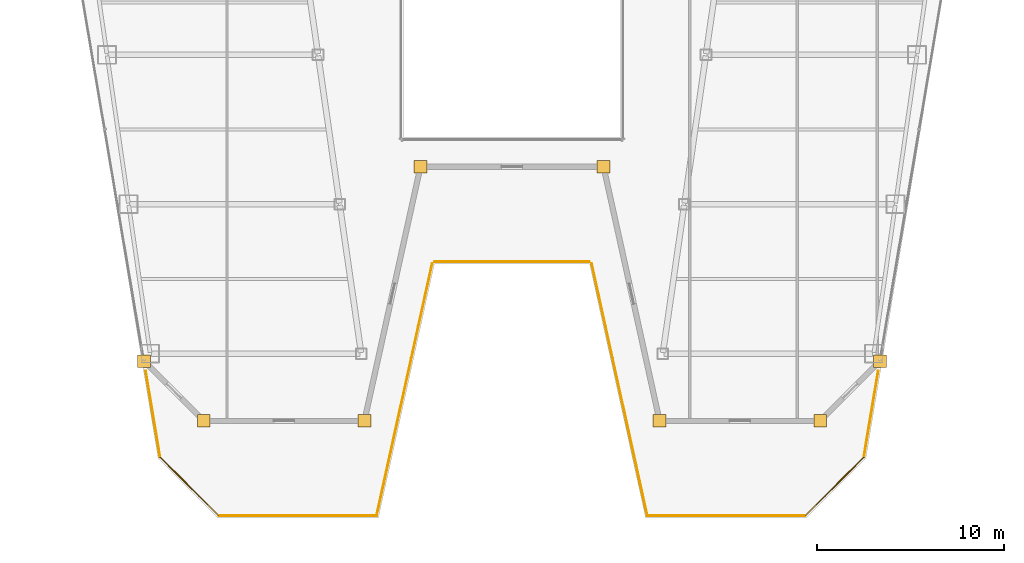
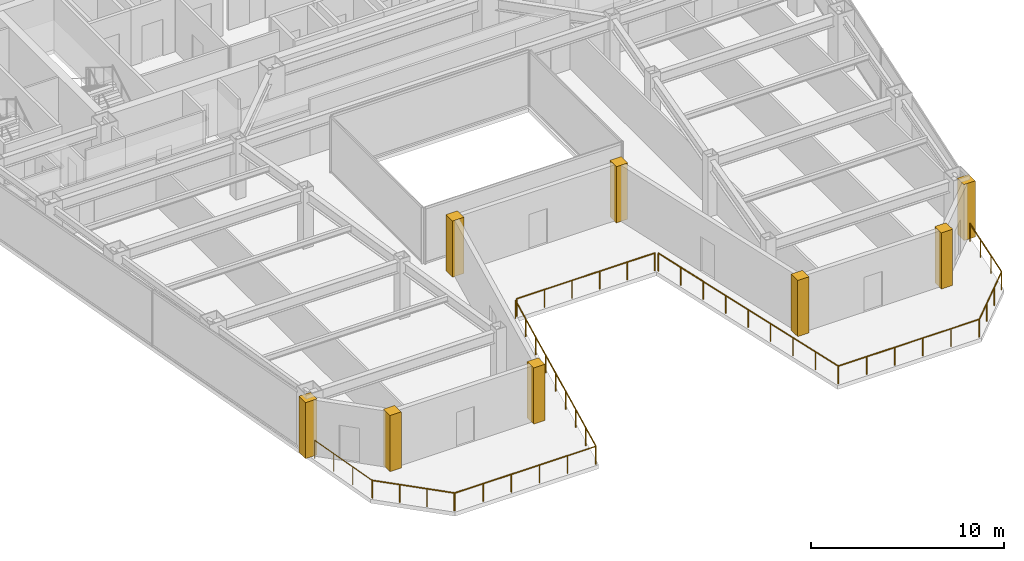
# One storey, part 28 of 31: 9 railings, 8 coverings.
"""IFC4 building model written with IfcOpenShell, lengths in metres."""

from ifc_helpers import new_model, si_unit, direction, frame, origin, origin_2d, place, context, subcontext, project, spatial, polyline, circle, outline, extrude, material, layer, layer_set, type_object, element, save


model = new_model("IFC4")

# Units and contexts
model_context = context("Model", 3, precision=1e-05, world=origin(), true_north=direction((0.0, 1.0)))
body_context = subcontext(model_context, "Body", "Model", "MODEL_VIEW")
ifc_project = project(units=[si_unit("LENGTHUNIT", "METRE"), si_unit("AREAUNIT", "SQUARE_METRE"), si_unit("VOLUMEUNIT", "CUBIC_METRE"), si_unit("PLANEANGLEUNIT", "RADIAN"), si_unit("MASSUNIT", "GRAM", prefix="KILO")], contexts=[model_context])

# Site, building, storey
site_placement = place(None, origin())
site = spatial("IfcSite", under=ifc_project, at=site_placement, CompositionType="ELEMENT")
building_placement = place(site_placement, origin())
building = spatial("IfcBuilding", under=site, at=building_placement, Name="Saevonmaru Cultural Tower", CompositionType="ELEMENT")
storey_placement = place(building_placement, frame((0.0, 0.0, 167.60009765625)))
storey = spatial("IfcBuildingStorey", under=building, at=storey_placement, Name="L37", CompositionType="ELEMENT", Elevation=167.60009765625)

# Coverings
ifc_material = material(Name="Satin Bronze Anodised Aluminium", Category="aluminium")
ifc_layer = layer(ifc_material, 0.679931640625, Name="Satin Bronze Anodised Aluminium")
ifc_layer_set = layer_set([ifc_layer], Name="Satin Bronze Anodised Aluminium")
covering_type = type_object("IfcCoveringType", Name="CV-CORNER-CLAD", PredefinedType="CLADDING", material=ifc_layer_set)
covering_1_placement = place(storey_placement, origin())
element("IfcCovering", 1, at=covering_1_placement, inside=storey, type_object=covering_type, Name="L37 Tower Bronze Corner Cladding Pier 1", PredefinedType="CLADDING", context=body_context, shape_type="SweptSolid", body=[
    extrude(outline(polyline([(9.9580078125, 15.260009765625), (10.637939453125, 15.260009765625), (10.637939453125, 15.93994140625), (9.9580078125, 15.93994140625), (9.9580078125, 15.260009765625)])), origin(), (0.0, 0.0, 1.0), 3.5498046875),
])
covering_2_placement = place(storey_placement, origin())
element("IfcCovering", 2, at=covering_2_placement, inside=storey, type_object=covering_type, Name="L37 Tower Bronze Corner Cladding Pier 2", PredefinedType="CLADDING", context=body_context, shape_type="SweptSolid", body=[
    extrude(outline(polyline([(13.157958984375, 12.06005859375), (13.837890625, 12.06005859375), (13.837890625, 12.739990234375), (13.157958984375, 12.739990234375), (13.157958984375, 12.06005859375)])), origin(), (0.0, 0.0, 1.0), 3.5498046875),
])
covering_3_placement = place(storey_placement, origin())
element("IfcCovering", 3, at=covering_3_placement, inside=storey, type_object=covering_type, Name="L37 Tower Bronze Corner Cladding Pier 3", PredefinedType="CLADDING", context=body_context, shape_type="SweptSolid", body=[
    extrude(outline(polyline([(21.758056640625, 12.06005859375), (22.43798828125, 12.06005859375), (22.43798828125, 12.739990234375), (21.758056640625, 12.739990234375), (21.758056640625, 12.06005859375)])), origin(), (0.0, 0.0, 1.0), 3.5498046875),
])
covering_4_placement = place(storey_placement, origin())
element("IfcCovering", 4, at=covering_4_placement, inside=storey, type_object=covering_type, Name="L37 Tower Bronze Corner Cladding Pier 4", PredefinedType="CLADDING", context=body_context, shape_type="SweptSolid", body=[
    extrude(outline(polyline([(24.758056640625, 25.659912109375), (25.43798828125, 25.659912109375), (25.43798828125, 26.340087890625), (24.758056640625, 26.340087890625), (24.758056640625, 25.659912109375)])), origin(), (0.0, 0.0, 1.0), 3.5498046875),
])
covering_5_placement = place(storey_placement, origin())
element("IfcCovering", 5, at=covering_5_placement, inside=storey, type_object=covering_type, Name="L37 Tower Bronze Corner Cladding Pier 5", PredefinedType="CLADDING", context=body_context, shape_type="SweptSolid", body=[
    extrude(outline(polyline([(34.56201171875, 25.659912109375), (35.241943359375, 25.659912109375), (35.241943359375, 26.340087890625), (34.56201171875, 26.340087890625), (34.56201171875, 25.659912109375)])), origin(), (0.0, 0.0, 1.0), 3.5498046875),
])
covering_6_placement = place(storey_placement, origin())
element("IfcCovering", 6, at=covering_6_placement, inside=storey, type_object=covering_type, Name="L37 Tower Bronze Corner Cladding Pier 6", PredefinedType="CLADDING", context=body_context, shape_type="SweptSolid", body=[
    extrude(outline(polyline([(37.56201171875, 12.06005859375), (38.241943359375, 12.06005859375), (38.241943359375, 12.739990234375), (37.56201171875, 12.739990234375), (37.56201171875, 12.06005859375)])), origin(), (0.0, 0.0, 1.0), 3.5498046875),
])
covering_7_placement = place(storey_placement, origin())
element("IfcCovering", 7, at=covering_7_placement, inside=storey, type_object=covering_type, Name="L37 Tower Bronze Corner Cladding Pier 7", PredefinedType="CLADDING", context=body_context, shape_type="SweptSolid", body=[
    extrude(outline(polyline([(46.162109375, 12.06005859375), (46.842041015625, 12.06005859375), (46.842041015625, 12.739990234375), (46.162109375, 12.739990234375), (46.162109375, 12.06005859375)])), origin(), (0.0, 0.0, 1.0), 3.5498046875),
])
covering_8_placement = place(storey_placement, origin())
element("IfcCovering", 8, at=covering_8_placement, inside=storey, type_object=covering_type, Name="L37 Tower Bronze Corner Cladding Pier 8", PredefinedType="CLADDING", context=body_context, shape_type="SweptSolid", body=[
    extrude(outline(polyline([(49.362060546875, 15.260009765625), (50.0419921875, 15.260009765625), (50.0419921875, 15.93994140625), (49.362060546875, 15.93994140625), (49.362060546875, 15.260009765625)])), origin(), (0.0, 0.0, 1.0), 3.5498046875),
])

# Railings
railing_type = type_object("IfcRailingType", Name="RL-BALUSTRADE-1150", PredefinedType="BALUSTRADE", material=ifc_material)
railing_1_placement = place(storey_placement, frame((49.604736328125, 15.061279296875, 0.0)))
element("IfcRailing", 9, at=railing_1_placement, inside=storey, type_object=railing_type, Name="L37 Setback Terrace Balustrade 1-1", PredefinedType="BALUSTRADE", context=body_context, shape_type="SweptSolid", body=[
    extrude(circle(Radius=0.02392578125, at=origin_2d()), frame((0.0, 0.0, 1.1259765625), z_axis=(-0.164092240998, -0.986444999199, 0.0), x_axis=(0.986444999199, -0.164092240998, 0.0)), (0.0, 0.0, 1.0), 4.646484375),
    extrude(circle(Radius=0.02099609375, at=origin_2d()), origin(), (0.0, 0.0, 1.0), 1.101806640625),
    extrude(circle(Radius=0.02099609375, at=origin_2d()), frame((-0.254150390625, -1.52783203125, 0.0)), (0.0, 0.0, 1.0), 1.101806640625),
    extrude(circle(Radius=0.02099609375, at=origin_2d()), frame((-0.50830078125, -3.0556640625, 0.0)), (0.0, 0.0, 1.0), 1.101806640625),
    extrude(circle(Radius=0.02099609375, at=origin_2d()), frame((-0.762451171875, -4.58349609375, 0.0)), (0.0, 0.0, 1.0), 1.101806640625),
])
railing_2_placement = place(storey_placement, frame((48.824951171875, 10.44384765625, 0.0)))
element("IfcRailing", 10, at=railing_2_placement, inside=storey, type_object=railing_type, Name="L37 Setback Terrace Balustrade 1-2", PredefinedType="BALUSTRADE", context=body_context, shape_type="SweptSolid", body=[
    extrude(circle(Radius=0.02392578125, at=origin_2d()), frame((0.0, 0.0, 1.1259765625), z_axis=(-0.707106781187, -0.707106781187, 0.0), x_axis=(0.707106781187, -0.707106781187, 0.0)), (0.0, 0.0, 1.0), 4.39794921875),
    extrude(circle(Radius=0.02099609375, at=origin_2d()), origin(), (0.0, 0.0, 1.0), 1.101806640625),
    extrude(circle(Radius=0.02099609375, at=origin_2d()), frame((-1.03662109375, -1.03662109375, 0.0)), (0.0, 0.0, 1.0), 1.101806640625),
    extrude(circle(Radius=0.02099609375, at=origin_2d()), frame((-2.0732421875, -2.0732421875, 0.0)), (0.0, 0.0, 1.0), 1.101806640625),
    extrude(circle(Radius=0.02099609375, at=origin_2d()), frame((-3.10986328125, -3.10986328125, 0.0)), (0.0, 0.0, 1.0), 1.101806640625),
])
railing_3_placement = place(storey_placement, frame((45.680908203125, 7.320068359375, 0.0)))
element("IfcRailing", 11, at=railing_3_placement, inside=storey, type_object=railing_type, Name="L37 Setback Terrace Balustrade 1-3", PredefinedType="BALUSTRADE", context=body_context, shape_type="SweptSolid", body=[
    extrude(circle(Radius=0.02392578125, at=origin_2d()), frame((0.0, 0.0, 1.1259765625), z_axis=(-1.0, 0.0, 0.0), x_axis=(0.0, -1.0, 0.0)), (0.0, 0.0, 1.0), 8.412841796875),
    extrude(circle(Radius=0.02099609375, at=origin_2d()), origin(), (0.0, 0.0, 1.0), 1.101806640625),
    extrude(circle(Radius=0.02099609375, at=origin_2d()), frame((-1.6826171875, 0.0, 0.0)), (0.0, 0.0, 1.0), 1.101806640625),
    extrude(circle(Radius=0.02099609375, at=origin_2d()), frame((-3.365234375, 0.0, 0.0)), (0.0, 0.0, 1.0), 1.101806640625),
    extrude(circle(Radius=0.02099609375, at=origin_2d()), frame((-5.047607421875, 0.0, 0.0)), (0.0, 0.0, 1.0), 1.101806640625),
    extrude(circle(Radius=0.02099609375, at=origin_2d()), frame((-6.730224609375, 0.0, 0.0)), (0.0, 0.0, 1.0), 1.101806640625),
    extrude(circle(Radius=0.02099609375, at=origin_2d()), frame((-8.412841796875, 0.0, 0.0)), (0.0, 0.0, 1.0), 1.101806640625),
])
railing_4_placement = place(storey_placement, frame((37.24365234375, 7.339599609375, 0.0)))
element("IfcRailing", 12, at=railing_4_placement, inside=storey, type_object=railing_type, Name="L37 Setback Terrace Balustrade 1-4", PredefinedType="BALUSTRADE", context=body_context, shape_type="SweptSolid", body=[
    extrude(circle(Radius=0.02392578125, at=origin_2d()), frame((0.0, 0.0, 1.1259765625), z_axis=(-0.215466259219, 0.97651128572, 0.0), x_axis=(-0.97651128572, -0.215466259219, 0.0)), (0.0, 0.0, 1.0), 13.790771484375),
    extrude(circle(Radius=0.02099609375, at=origin_2d()), origin(), (0.0, 0.0, 1.0), 1.101806640625),
    extrude(circle(Radius=0.02099609375, at=origin_2d()), frame((-0.371337890625, 1.683349609375, 0.0)), (0.0, 0.0, 1.0), 1.101806640625),
    extrude(circle(Radius=0.02099609375, at=origin_2d()), frame((-0.742919921875, 3.36669921875, 0.0)), (0.0, 0.0, 1.0), 1.101806640625),
    extrude(circle(Radius=0.02099609375, at=origin_2d()), frame((-1.1142578125, 5.050048828125, 0.0)), (0.0, 0.0, 1.0), 1.101806640625),
    extrude(circle(Radius=0.02099609375, at=origin_2d()), frame((-1.48583984375, 6.7333984375, 0.0)), (0.0, 0.0, 1.0), 1.101806640625),
    extrude(circle(Radius=0.02099609375, at=origin_2d()), frame((-1.857177734375, 8.416748046875, 0.0)), (0.0, 0.0, 1.0), 1.101806640625),
    extrude(circle(Radius=0.02099609375, at=origin_2d()), frame((-2.228515625, 10.10009765625, 0.0)), (0.0, 0.0, 1.0), 1.101806640625),
    extrude(circle(Radius=0.02099609375, at=origin_2d()), frame((-2.60009765625, 11.783447265625, 0.0)), (0.0, 0.0, 1.0), 1.101806640625),
    extrude(circle(Radius=0.02099609375, at=origin_2d()), frame((-2.971435546875, 13.466796875, 0.0)), (0.0, 0.0, 1.0), 1.101806640625),
])
railing_5_placement = place(storey_placement, frame((34.131103515625, 20.919921875, 0.0)))
element("IfcRailing", 13, at=railing_5_placement, inside=storey, type_object=railing_type, Name="L37 Setback Terrace Balustrade 1-5", PredefinedType="BALUSTRADE", context=body_context, shape_type="SweptSolid", body=[
    extrude(circle(Radius=0.02392578125, at=origin_2d()), frame((0.0, 0.0, 1.1259765625), z_axis=(-1.0, 0.0, 0.0), x_axis=(0.0, -1.0, 0.0)), (0.0, 0.0, 1.0), 8.26220703125),
    extrude(circle(Radius=0.02099609375, at=origin_2d()), origin(), (0.0, 0.0, 1.0), 1.101806640625),
    extrude(circle(Radius=0.02099609375, at=origin_2d()), frame((-1.65234375, 0.0, 0.0)), (0.0, 0.0, 1.0), 1.101806640625),
    extrude(circle(Radius=0.02099609375, at=origin_2d()), frame((-3.304931640625, 0.0, 0.0)), (0.0, 0.0, 1.0), 1.101806640625),
    extrude(circle(Radius=0.02099609375, at=origin_2d()), frame((-4.957275390625, 0.0, 0.0)), (0.0, 0.0, 1.0), 1.101806640625),
    extrude(circle(Radius=0.02099609375, at=origin_2d()), frame((-6.60986328125, 0.0, 0.0)), (0.0, 0.0, 1.0), 1.101806640625),
    extrude(circle(Radius=0.02099609375, at=origin_2d()), frame((-8.26220703125, 0.0, 0.0)), (0.0, 0.0, 1.0), 1.101806640625),
])
railing_6_placement = place(storey_placement, frame((25.727783203125, 20.806396484375, 0.0)))
element("IfcRailing", 14, at=railing_6_placement, inside=storey, type_object=railing_type, Name="L37 Setback Terrace Balustrade 1-6", PredefinedType="BALUSTRADE", context=body_context, shape_type="SweptSolid", body=[
    extrude(circle(Radius=0.02392578125, at=origin_2d()), frame((0.0, 0.0, 1.1259765625), z_axis=(-0.215466259219, -0.97651128572, 0.0), x_axis=(0.97651128572, -0.215466259219, 0.0)), (0.0, 0.0, 1.0), 13.790771484375),
    extrude(circle(Radius=0.02099609375, at=origin_2d()), origin(), (0.0, 0.0, 1.0), 1.101806640625),
    extrude(circle(Radius=0.02099609375, at=origin_2d()), frame((-0.371337890625, -1.683349609375, 0.0)), (0.0, 0.0, 1.0), 1.101806640625),
    extrude(circle(Radius=0.02099609375, at=origin_2d()), frame((-0.742919921875, -3.36669921875, 0.0)), (0.0, 0.0, 1.0), 1.101806640625),
    extrude(circle(Radius=0.02099609375, at=origin_2d()), frame((-1.1142578125, -5.050048828125, 0.0)), (0.0, 0.0, 1.0), 1.101806640625),
    extrude(circle(Radius=0.02099609375, at=origin_2d()), frame((-1.48583984375, -6.7333984375, 0.0)), (0.0, 0.0, 1.0), 1.101806640625),
    extrude(circle(Radius=0.02099609375, at=origin_2d()), frame((-1.857177734375, -8.416748046875, 0.0)), (0.0, 0.0, 1.0), 1.101806640625),
    extrude(circle(Radius=0.02099609375, at=origin_2d()), frame((-2.228515625, -10.10009765625, 0.0)), (0.0, 0.0, 1.0), 1.101806640625),
    extrude(circle(Radius=0.02099609375, at=origin_2d()), frame((-2.60009765625, -11.783447265625, 0.0)), (0.0, 0.0, 1.0), 1.101806640625),
    extrude(circle(Radius=0.02099609375, at=origin_2d()), frame((-2.971435546875, -13.466796875, 0.0)), (0.0, 0.0, 1.0), 1.101806640625),
])
railing_7_placement = place(storey_placement, frame((22.73193359375, 7.320068359375, 0.0)))
element("IfcRailing", 15, at=railing_7_placement, inside=storey, type_object=railing_type, Name="L37 Setback Terrace Balustrade 1-7", PredefinedType="BALUSTRADE", context=body_context, shape_type="SweptSolid", body=[
    extrude(circle(Radius=0.02392578125, at=origin_2d()), frame((0.0, 0.0, 1.1259765625), z_axis=(-1.0, 0.0, 0.0), x_axis=(0.0, -1.0, 0.0)), (0.0, 0.0, 1.0), 8.412841796875),
    extrude(circle(Radius=0.02099609375, at=origin_2d()), origin(), (0.0, 0.0, 1.0), 1.101806640625),
    extrude(circle(Radius=0.02099609375, at=origin_2d()), frame((-1.6826171875, 0.0, 0.0)), (0.0, 0.0, 1.0), 1.101806640625),
    extrude(circle(Radius=0.02099609375, at=origin_2d()), frame((-3.365234375, 0.0, 0.0)), (0.0, 0.0, 1.0), 1.101806640625),
    extrude(circle(Radius=0.02099609375, at=origin_2d()), frame((-5.047607421875, 0.0, 0.0)), (0.0, 0.0, 1.0), 1.101806640625),
    extrude(circle(Radius=0.02099609375, at=origin_2d()), frame((-6.730224609375, 0.0, 0.0)), (0.0, 0.0, 1.0), 1.101806640625),
    extrude(circle(Radius=0.02099609375, at=origin_2d()), frame((-8.412841796875, 0.0, 0.0)), (0.0, 0.0, 1.0), 1.101806640625),
])
railing_8_placement = place(storey_placement, frame((14.284912109375, 7.333984375, 0.0)))
element("IfcRailing", 16, at=railing_8_placement, inside=storey, type_object=railing_type, Name="L37 Setback Terrace Balustrade 1-8", PredefinedType="BALUSTRADE", context=body_context, shape_type="SweptSolid", body=[
    extrude(circle(Radius=0.02392578125, at=origin_2d()), frame((0.0, 0.0, 1.1259765625), z_axis=(-0.707106781187, 0.707106781187, 0.0), x_axis=(-0.707106781187, -0.707106781187, 0.0)), (0.0, 0.0, 1.0), 4.39794921875),
    extrude(circle(Radius=0.02099609375, at=origin_2d()), origin(), (0.0, 0.0, 1.0), 1.101806640625),
    extrude(circle(Radius=0.02099609375, at=origin_2d()), frame((-1.03662109375, 1.03662109375, 0.0)), (0.0, 0.0, 1.0), 1.101806640625),
    extrude(circle(Radius=0.02099609375, at=origin_2d()), frame((-2.0732421875, 2.0732421875, 0.0)), (0.0, 0.0, 1.0), 1.101806640625),
    extrude(circle(Radius=0.02099609375, at=origin_2d()), frame((-3.10986328125, 3.10986328125, 0.0)), (0.0, 0.0, 1.0), 1.101806640625),
])
railing_9_placement = place(storey_placement, frame((11.15771484375, 10.477783203125, 0.0)))
element("IfcRailing", 17, at=railing_9_placement, inside=storey, type_object=railing_type, Name="L37 Setback Terrace Balustrade 1-9", PredefinedType="BALUSTRADE", context=body_context, shape_type="SweptSolid", body=[
    extrude(circle(Radius=0.02392578125, at=origin_2d()), frame((0.0, 0.0, 1.1259765625), z_axis=(-0.164092240998, 0.986444999199, 0.0), x_axis=(-0.986444999199, -0.164092240998, 0.0)), (0.0, 0.0, 1.0), 4.646484375),
    extrude(circle(Radius=0.02099609375, at=origin_2d()), origin(), (0.0, 0.0, 1.0), 1.101806640625),
    extrude(circle(Radius=0.02099609375, at=origin_2d()), frame((-0.254150390625, 1.52783203125, 0.0)), (0.0, 0.0, 1.0), 1.101806640625),
    extrude(circle(Radius=0.02099609375, at=origin_2d()), frame((-0.50830078125, 3.0556640625, 0.0)), (0.0, 0.0, 1.0), 1.101806640625),
    extrude(circle(Radius=0.02099609375, at=origin_2d()), frame((-0.762451171875, 4.58349609375, 0.0)), (0.0, 0.0, 1.0), 1.101806640625),
])

save(model, "model.ifc")
